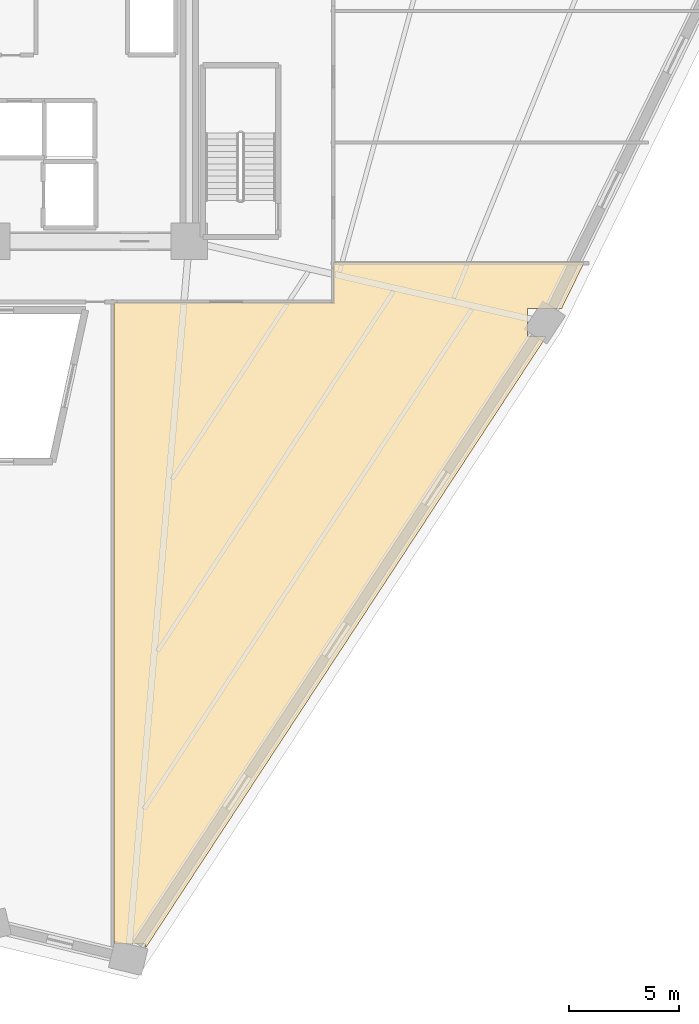
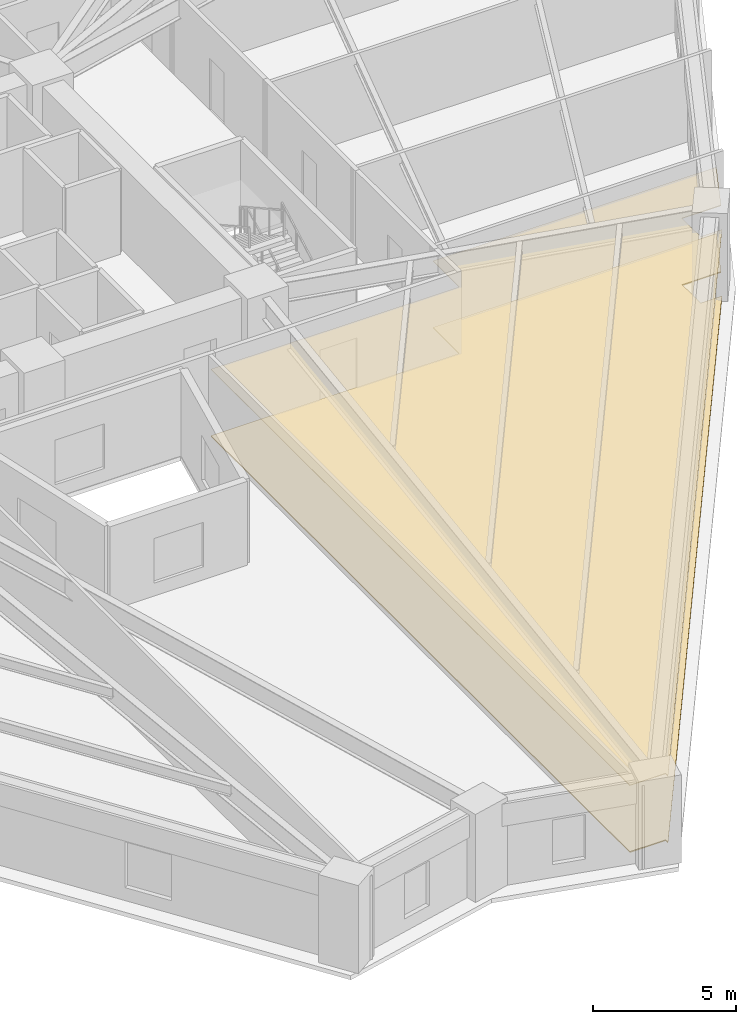
# One storey, part 8 of 9: 2 coverings.
"""IFC4 building model written with IfcOpenShell, lengths in metres."""

from ifc_helpers import new_model, si_unit, direction, frame, origin, place, context, subcontext, project, spatial, polyline, outline, extrude, material, layer, layer_set, type_object, element, save


model = new_model("IFC4")

# Units and contexts
model_context = context("Model", 3, precision=1e-05, world=origin(), true_north=direction((0.0, 1.0)))
body_context = subcontext(model_context, "Body", "Model", "MODEL_VIEW")
ifc_project = project(units=[si_unit("LENGTHUNIT", "METRE"), si_unit("AREAUNIT", "SQUARE_METRE"), si_unit("VOLUMEUNIT", "CUBIC_METRE"), si_unit("PLANEANGLEUNIT", "RADIAN"), si_unit("MASSUNIT", "GRAM", prefix="KILO")], contexts=[model_context])

# Site, building, storey
site_placement = place(None, origin())
site = spatial("IfcSite", under=ifc_project, at=site_placement, CompositionType="ELEMENT")
building_placement = place(site_placement, origin())
building = spatial("IfcBuilding", under=site, at=building_placement, Name="Liaohun Quay Tower", CompositionType="ELEMENT")
storey_placement = place(building_placement, frame((0.0, 0.0, 74.25)))
storey = spatial("IfcBuildingStorey", under=building, at=storey_placement, Name="L19", CompositionType="ELEMENT", Elevation=74.25)

# Coverings
ifc_material_1 = material(Name="Mineral-fibre acoustic ceiling tile")
ifc_layer_1 = layer(ifc_material_1, 0.02490234375, Name="Mineral-fibre acoustic ceiling tile")
ifc_layer_set_1 = layer_set([ifc_layer_1], Name="Mineral-fibre acoustic ceiling tile")
covering_type_1 = type_object("IfcCoveringType", Name="COV-CEIL-ACT", PredefinedType="CEILING", material=ifc_layer_set_1)
covering_1_placement = place(storey_placement, frame((0.0, 0.0, 2.85009765625)))
element("IfcCovering", 1, at=covering_1_placement, inside=storey, type_object=covering_type_1, Name="L19 Regional Advisory Office 13 Acoustic Ceiling", PredefinedType="CEILING", context=body_context, shape_type="SweptSolid", body=[
    extrude(outline(polyline([(85.263916015625, 42.160888671875), (84.40087890625, 42.160888671875), (84.40087890625, 43.450927734375), (85.968994140625, 43.450927734375), (86.99609375, 45.544921875), (75.580078125, 45.544921875), (75.580078125, 43.719970703125), (65.574951171875, 43.719970703125), (65.574951171875, 14.490966796875), (67.010986328125, 14.490966796875), (67.010986328125, 14.31005859375), (85.263916015625, 42.160888671875)])), origin(), (0.0, 0.0, 1.0), 0.02490234375),
])
ifc_material_2 = material(Name="Calcium-sulphate raised access floor tile")
ifc_layer_2 = layer(ifc_material_2, 0.044921875, Name="Calcium-sulphate raised access floor tile")
ifc_layer_set_2 = layer_set([ifc_layer_2], Name="Calcium-sulphate raised access floor tile")
covering_type_2 = type_object("IfcCoveringType", Name="COV-FLR-RAF", PredefinedType="FLOORING", material=ifc_layer_set_2)
covering_2_placement = place(storey_placement, origin())
element("IfcCovering", 2, at=covering_2_placement, inside=storey, type_object=covering_type_2, Name="L19 Regional Advisory Office 13 Floor Finish", PredefinedType="FLOORING", context=body_context, shape_type="SweptSolid", body=[
    extrude(outline(polyline([(85.263916015625, 42.160888671875), (84.40087890625, 42.160888671875), (84.40087890625, 43.450927734375), (85.968994140625, 43.450927734375), (86.99609375, 45.544921875), (75.580078125, 45.544921875), (75.580078125, 43.719970703125), (65.574951171875, 43.719970703125), (65.574951171875, 14.490966796875), (67.010986328125, 14.490966796875), (67.010986328125, 14.31005859375), (85.263916015625, 42.160888671875)])), origin(), (0.0, 0.0, 1.0), 0.044921875),
])

save(model, "model.ifc")
